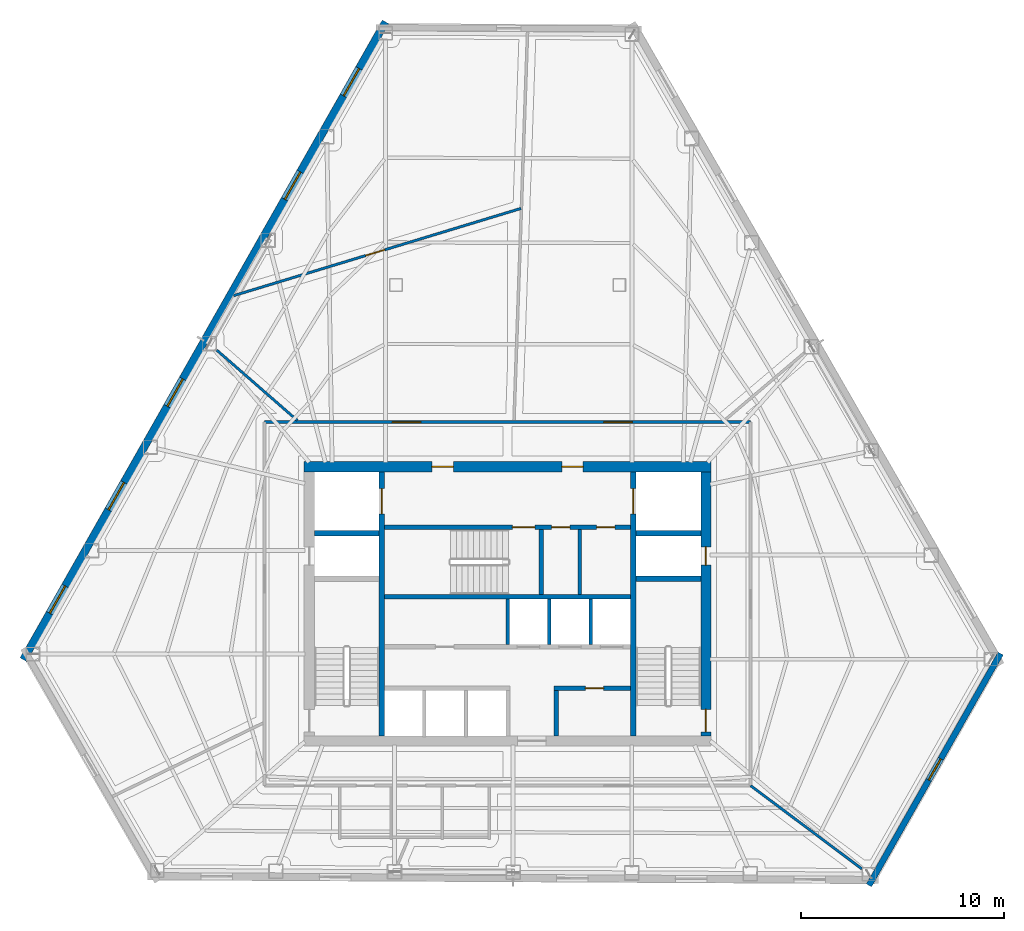
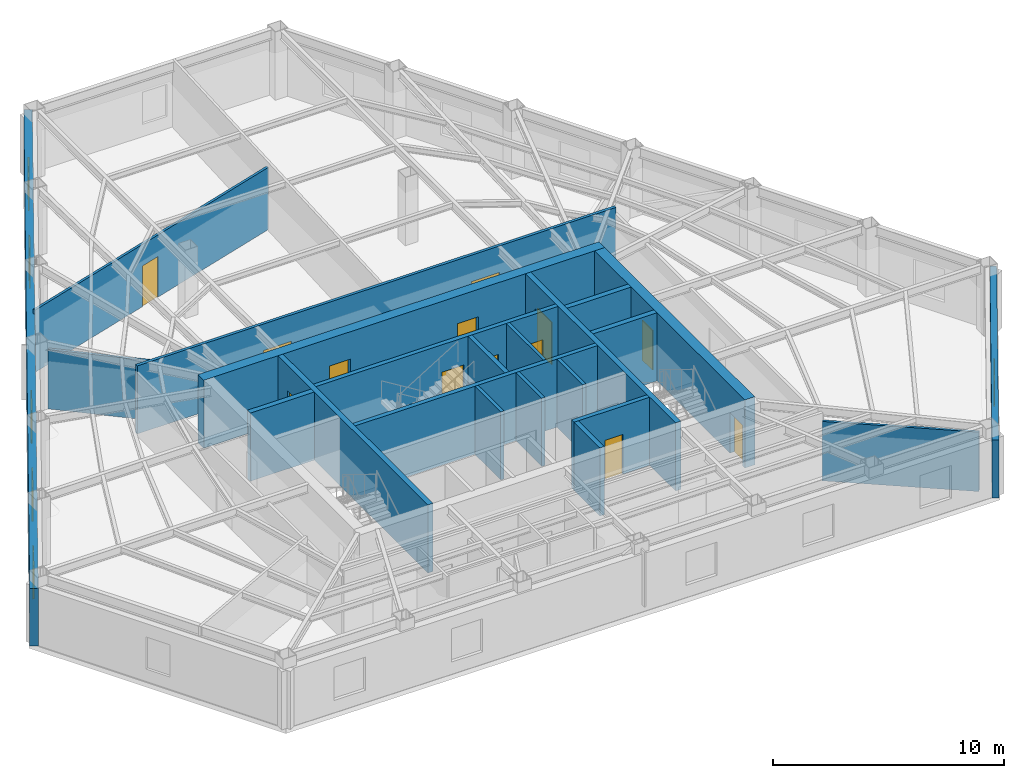
# One storey, part 8 of 12: 22 walls, 13 doors, 6 windows, 19 openings.
"""IFC4 building model written with IfcOpenShell, lengths in metres."""

from ifc_helpers import new_model, si_unit, direction, frame, frame_2d, origin, place, context, subcontext, project, spatial, rectangle, extrude, material, layer, layer_set, type_object, element, fill, save


model = new_model("IFC4")

# Units and contexts
model_context = context("Model", 3, precision=1e-05, world=origin(), true_north=direction((0.0, 1.0)))
body_context = subcontext(model_context, "Body", "Model", "MODEL_VIEW")
ifc_project = project(units=[si_unit("LENGTHUNIT", "METRE"), si_unit("AREAUNIT", "SQUARE_METRE"), si_unit("VOLUMEUNIT", "CUBIC_METRE"), si_unit("PLANEANGLEUNIT", "RADIAN"), si_unit("MASSUNIT", "GRAM", prefix="KILO")], contexts=[model_context])

# Site, building, storey
site_placement = place(None, origin())
site = spatial("IfcSite", under=ifc_project, at=site_placement, CompositionType="ELEMENT")
building_placement = place(site_placement, origin())
building = spatial("IfcBuilding", under=site, at=building_placement, Name="Kavelnor Concourse Tower", CompositionType="ELEMENT")
storey_placement = place(building_placement, frame((0.0, 0.0, 104.75)))
storey = spatial("IfcBuildingStorey", under=building, at=storey_placement, Name="L26", CompositionType="ELEMENT", Elevation=104.75)

# Wall, openings, doors
ifc_material_1 = material(Name="Concrete C60/75", Category="concrete")
ifc_layer_1 = layer(ifc_material_1, 0.5, Name="Concrete C60/75")
ifc_layer_set_1 = layer_set([ifc_layer_1], Name="Concrete C60/75")
wall_type_1 = type_object("IfcWallType", Name="WL-CORE-Z2-500", PredefinedType="SOLIDWALL", material=ifc_layer_set_1)
wall_1_placement = place(storey_placement, frame((27.97998046875, 22.85009765625, 0.0), z_axis=(0.0, 0.0, 1.0), x_axis=(1.0, 0.0, 0.0)))
wall_1 = element("IfcWall", 1, at=wall_1_placement, inside=storey, type_object=wall_type_1, Name="L26 Central Core North Shear Wall", PredefinedType="SOLIDWALL", context=body_context, shape_type="SweptSolid", body=[
    extrude(rectangle(XDim=20.0400390625, YDim=0.5, at=frame_2d((10.02001953125, 0.0))), origin(), (0.0, 0.0, 1.0), 3.60009765625),
])
opening_1_placement = place(wall_1_placement, frame((6.294921875, 0.0, 0.0)))
opening_1 = element("IfcOpeningElement", 2, at=opening_1_placement, cuts=wall_1, Name="Opening FD-105", PredefinedType="OPENING", context=body_context, shape_type="SweptSolid", body=[
    extrude(rectangle(XDim=1.050048828125, YDim=2.14990234375, at=frame_2d((0.52490234375, 1.074951171875))), frame((0.0, 0.260009765625, 0.0), z_axis=(0.0, -1.0, 0.0), x_axis=(1.0, 0.0, 0.0)), (0.0, 0.0, 1.0), 0.52001953125),
])
opening_2_placement = place(wall_1_placement, frame((12.695068359375, 0.0, 0.0)))
opening_2 = element("IfcOpeningElement", 3, at=opening_2_placement, cuts=wall_1, Name="Opening FD-105", PredefinedType="OPENING", context=body_context, shape_type="SweptSolid", body=[
    extrude(rectangle(XDim=1.050048828125, YDim=2.14990234375, at=frame_2d((0.52490234375, 1.074951171875))), frame((0.0, 0.260009765625, 0.0), z_axis=(0.0, -1.0, 0.0), x_axis=(1.0, 0.0, 0.0)), (0.0, 0.0, 1.0), 0.52001953125),
])
ifc_material_2 = material(Name="Steel Grade 350", Category="steel")
door_type_1 = type_object("IfcDoorType", Name="DR-LOBBY-FIRE-1050", OperationType="NOTDEFINED", PredefinedType="DOOR", material=ifc_material_2)
door_1_placement = place(opening_1_placement, origin())
door_1 = element("IfcDoor", 4, at=door_1_placement, inside=storey, type_object=door_type_1, Name="L26 Emergency Lift Lobby West Door", OperationType="SINGLE_SWING_LEFT", OverallHeight=2.14990234375, OverallWidth=1.050048828125, PredefinedType="DOOR", context=body_context, shape_type="SweptSolid", body=[
    extrude(rectangle(XDim=1.050048828125, YDim=2.14990234375, at=frame_2d((0.52490234375, 1.074951171875))), frame((0.0, 0.02490234375, 0.0), z_axis=(0.0, -1.0, 0.0), x_axis=(1.0, 0.0, 0.0)), (0.0, 0.0, 1.0), 0.050048828125),
])
fill(opening_1, door_1)
door_2_placement = place(opening_2_placement, origin())
door_2 = element("IfcDoor", 5, at=door_2_placement, inside=storey, type_object=door_type_1, Name="L26 Emergency Lift Lobby East Door", OperationType="SINGLE_SWING_RIGHT", OverallHeight=2.14990234375, OverallWidth=1.050048828125, PredefinedType="DOOR", context=body_context, shape_type="SweptSolid", body=[
    extrude(rectangle(XDim=1.050048828125, YDim=2.14990234375, at=frame_2d((0.52490234375, 1.074951171875))), frame((0.0, 0.02490234375, 0.0), z_axis=(0.0, -1.0, 0.0), x_axis=(1.0, 0.0, 0.0)), (0.0, 0.0, 1.0), 0.050048828125),
])
fill(opening_2, door_2)

wall_2_placement = place(storey_placement, frame((47.77001953125, 9.60009765625, 0.0), z_axis=(0.0, 0.0, 1.0), x_axis=(0.0, 1.0, 0.0)))
wall_2 = element("IfcWall", 6, at=wall_2_placement, inside=storey, type_object=wall_type_1, Name="L26 Central Core East Shear Wall", PredefinedType="SOLIDWALL", context=body_context, shape_type="SweptSolid", body=[
    extrude(rectangle(XDim=13.0, YDim=0.5, at=frame_2d((6.5, 0.0))), origin(), (0.0, 0.0, 1.0), 3.60009765625),
])
opening_3_placement = place(wall_2_placement, frame((0.199951171875, 0.0, 0.0)))
opening_3 = element("IfcOpeningElement", 7, at=opening_3_placement, cuts=wall_2, Name="Opening FD-110", PredefinedType="OPENING", context=body_context, shape_type="SweptSolid", body=[
    extrude(rectangle(XDim=1.10009765625, YDim=2.14990234375, at=frame_2d((0.550048828125, 1.074951171875))), frame((0.0, 0.260009765625, 0.0), z_axis=(0.0, -1.0, 0.0), x_axis=(1.0, 0.0, 0.0)), (0.0, 0.0, 1.0), 0.52001953125),
])
opening_4_placement = place(wall_2_placement, frame((8.39990234375, 0.0, 0.0)))
opening_4 = element("IfcOpeningElement", 8, at=opening_4_placement, cuts=wall_2, Name="Opening FD-090", PredefinedType="OPENING", context=body_context, shape_type="SweptSolid", body=[
    extrude(rectangle(XDim=0.89990234375, YDim=2.10009765625, at=frame_2d((0.449951171875, 1.050048828125))), frame((0.0, 0.260009765625, 0.0), z_axis=(0.0, -1.0, 0.0), x_axis=(1.0, 0.0, 0.0)), (0.0, 0.0, 1.0), 0.52001953125),
])
door_type_2 = type_object("IfcDoorType", Name="DR-RISER-FIRE-900", OperationType="NOTDEFINED", PredefinedType="DOOR", material=ifc_material_2)
door_3_placement = place(opening_4_placement, origin())
door_3 = element("IfcDoor", 9, at=door_3_placement, inside=storey, type_object=door_type_2, Name="L26 East Riser Access Door", OperationType="SINGLE_SWING_LEFT", OverallHeight=2.10009765625, OverallWidth=0.89990234375, PredefinedType="DOOR", context=body_context, shape_type="SweptSolid", body=[
    extrude(rectangle(XDim=0.89990234375, YDim=2.10009765625, at=frame_2d((0.449951171875, 1.050048828125))), frame((0.0, 0.02490234375, 0.0), z_axis=(0.0, -1.0, 0.0), x_axis=(1.0, 0.0, 0.0)), (0.0, 0.0, 1.0), 0.050048828125),
])
fill(opening_4, door_3)
door_type_3 = type_object("IfcDoorType", Name="DR-STAIR-FIRE-1100", OperationType="NOTDEFINED", PredefinedType="DOOR", material=ifc_material_2)
door_4_placement = place(opening_3_placement, origin())
door_4 = element("IfcDoor", 10, at=door_4_placement, inside=storey, type_object=door_type_3, Name="L26 Stair ST2 Fire Door", OperationType="SINGLE_SWING_RIGHT", OverallHeight=2.14990234375, OverallWidth=1.10009765625, PredefinedType="DOOR", context=body_context, shape_type="SweptSolid", body=[
    extrude(rectangle(XDim=1.10009765625, YDim=2.14990234375, at=frame_2d((0.550048828125, 1.074951171875))), frame((0.0, 0.02490234375, 0.0), z_axis=(0.0, -1.0, 0.0), x_axis=(1.0, 0.0, 0.0)), (0.0, 0.0, 1.0), 0.050048828125),
])
fill(opening_3, door_4)

# Wall, opening, window
ifc_material_3 = material(Name="Buff ironspot clay face brick masonry", Category="masonry")
ifc_layer_2 = layer(ifc_material_3, 0.300048828125, Name="Buff ironspot clay face brick masonry")
ifc_layer_set_2 = layer_set([ifc_layer_2], Name="Buff ironspot clay face brick masonry")
wall_type_2 = type_object("IfcWallType", Name="WL-EXT-BUFF-BRICK-FOLD-300", PredefinedType="STANDARD", material=ifc_layer_set_2)
wall_3_placement = place(storey_placement, frame((62.27978515625, 13.65185546875, 0.0), z_axis=(0.0, 0.0, 1.0), x_axis=(-0.493862788891, -0.869539847131, 0.0)))
wall_3 = element("IfcWall", 11, at=wall_3_placement, inside=storey, type_object=wall_type_2, Name="L26 Exterior Brick Facade Wall E4", PredefinedType="STANDARD", context=body_context, shape_type="SweptSolid", body=[
    extrude(rectangle(XDim=13.1318359375, YDim=0.300048828125, at=frame_2d((6.56591796875, 0.0))), origin(), (0.0, 0.0, 1.0), 3.05908203125),
])
opening_5_placement = place(wall_3_placement, frame((5.9658203125, 0.0, 0.64990234375)))
opening_5 = element("IfcOpeningElement", 12, at=opening_5_placement, cuts=wall_3, Name="Opening W-05", PredefinedType="OPENING", context=body_context, shape_type="SweptSolid", body=[
    extrude(rectangle(XDim=1.199951171875, YDim=1.699951171875, at=frame_2d((0.60009765625, 0.85009765625))), frame((0.0, 0.16015625, 0.0), z_axis=(0.0, -1.0, 0.0), x_axis=(1.0, 0.0, 0.0)), (0.0, 0.0, 1.0), 0.320068359375),
])
ifc_material_4 = material(Name="Double low-E argon insulated glazing", Category="glass")
window_type_1 = type_object("IfcWindowType", Name="WIN-FOLD-1200", PartitioningType="SINGLE_PANEL", PredefinedType="WINDOW", material=ifc_material_4)
window_1_placement = place(opening_5_placement, origin())
window_1 = element("IfcWindow", 13, at=window_1_placement, inside=storey, type_object=window_type_1, Name="L26 Chamfer-Fold Facet Window C2", OverallHeight=1.699951171875, OverallWidth=1.199951171875, PartitioningType="SINGLE_PANEL", PredefinedType="WINDOW", context=body_context, shape_type="SweptSolid", body=[
    extrude(rectangle(XDim=1.199951171875, YDim=1.699951171875, at=frame_2d((0.60009765625, 0.85009765625))), frame((0.0, 0.030029296875, 0.0), z_axis=(0.0, -1.0, 0.0), x_axis=(1.0, 0.0, 0.0)), (0.0, 0.0, 1.0), 0.06005859375),
])
fill(opening_5, window_1)

# Wall, openings, windows
ifc_material_5 = material(Name="Red-ochre clay face brick masonry", Category="masonry")
ifc_layer_3 = layer(ifc_material_5, 0.3798828125, Name="Red-ochre clay face brick masonry")
ifc_layer_set_3 = layer_set([ifc_layer_3], Name="Red-ochre clay face brick masonry")
wall_type_3 = type_object("IfcWallType", Name="WL-EXT-RED-BRICK-PIER-380", PredefinedType="STANDARD", material=ifc_layer_set_3)
wall_4_placement = place(storey_placement, frame((14.154541015625, 13.347412109375, 0.0), z_axis=(0.0, 0.0, 1.0), x_axis=(0.493868426836, 0.869536644986, 0.0)))
wall_4 = element("IfcWall", 14, at=wall_4_placement, inside=storey, type_object=wall_type_3, Name="L26 Exterior Brick Facade Wall E1", PredefinedType="STANDARD", context=body_context, shape_type="SweptSolid", body=[
    extrude(rectangle(XDim=36.12109375, YDim=0.3798828125, at=frame_2d((18.060546875, 0.0))), origin(), (0.0, 0.0, 1.0), 3.05908203125),
])
opening_6_placement = place(wall_4_placement, frame((31.9345703125, 0.0, 0.64990234375)))
opening_6 = element("IfcOpeningElement", 15, at=opening_6_placement, cuts=wall_4, Name="Opening W-02", PredefinedType="OPENING", context=body_context, shape_type="SweptSolid", body=[
    extrude(rectangle(XDim=1.550048828125, YDim=1.75, at=frame_2d((0.77490234375, 0.875))), frame((0.0, 0.199951171875, 0.0), z_axis=(0.0, -1.0, 0.0), x_axis=(1.0, 0.0, 0.0)), (0.0, 0.0, 1.0), 0.39990234375),
])
opening_7_placement = place(wall_4_placement, frame((26.073486328125, 0.0, 0.64990234375)))
opening_7 = element("IfcOpeningElement", 16, at=opening_7_placement, cuts=wall_4, Name="Opening W-02", PredefinedType="OPENING", context=body_context, shape_type="SweptSolid", body=[
    extrude(rectangle(XDim=1.550048828125, YDim=1.75, at=frame_2d((0.77490234375, 0.875))), frame((0.0, 0.199951171875, 0.0), z_axis=(0.0, -1.0, 0.0), x_axis=(1.0, 0.0, 0.0)), (0.0, 0.0, 1.0), 0.39990234375),
])
opening_8_placement = place(wall_4_placement, frame((14.351806640625, 0.0, 0.64990234375)))
opening_8 = element("IfcOpeningElement", 17, at=opening_8_placement, cuts=wall_4, Name="Opening W-02", PredefinedType="OPENING", context=body_context, shape_type="SweptSolid", body=[
    extrude(rectangle(XDim=1.550048828125, YDim=1.75, at=frame_2d((0.77490234375, 0.875))), frame((0.0, 0.199951171875, 0.0), z_axis=(0.0, -1.0, 0.0), x_axis=(1.0, 0.0, 0.0)), (0.0, 0.0, 1.0), 0.39990234375),
])
opening_9_placement = place(wall_4_placement, frame((8.49072265625, 0.0, 0.64990234375)))
opening_9 = element("IfcOpeningElement", 18, at=opening_9_placement, cuts=wall_4, Name="Opening W-02", PredefinedType="OPENING", context=body_context, shape_type="SweptSolid", body=[
    extrude(rectangle(XDim=1.550048828125, YDim=1.75, at=frame_2d((0.77490234375, 0.875))), frame((0.0, 0.199951171875, 0.0), z_axis=(0.0, -1.0, 0.0), x_axis=(1.0, 0.0, 0.0)), (0.0, 0.0, 1.0), 0.39990234375),
])
opening_10_placement = place(wall_4_placement, frame((2.629638671875, 0.0, 0.64990234375)))
opening_10 = element("IfcOpeningElement", 19, at=opening_10_placement, cuts=wall_4, Name="Opening W-02", PredefinedType="OPENING", context=body_context, shape_type="SweptSolid", body=[
    extrude(rectangle(XDim=1.550048828125, YDim=1.75, at=frame_2d((0.77490234375, 0.875))), frame((0.0, 0.199951171875, 0.0), z_axis=(0.0, -1.0, 0.0), x_axis=(1.0, 0.0, 0.0)), (0.0, 0.0, 1.0), 0.39990234375),
])
window_type_2 = type_object("IfcWindowType", Name="WIN-PIER-Z2-1650", PartitioningType="SINGLE_PANEL", PredefinedType="WINDOW", material=ifc_material_4)
window_2_placement = place(opening_6_placement, origin())
window_2 = element("IfcWindow", 20, at=window_2_placement, inside=storey, type_object=window_type_2, Name="L26 Deep-Set Brick Pier Window F0-B0", OverallHeight=1.75, OverallWidth=1.550048828125, PartitioningType="SINGLE_PANEL", PredefinedType="WINDOW", context=body_context, shape_type="SweptSolid", body=[
    extrude(rectangle(XDim=1.550048828125, YDim=1.75, at=frame_2d((0.77490234375, 0.875))), frame((0.0, 0.030029296875, 0.0), z_axis=(0.0, -1.0, 0.0), x_axis=(1.0, 0.0, 0.0)), (0.0, 0.0, 1.0), 0.06005859375),
])
fill(opening_6, window_2)
window_3_placement = place(opening_7_placement, origin())
window_3 = element("IfcWindow", 21, at=window_3_placement, inside=storey, type_object=window_type_2, Name="L26 Deep-Set Brick Pier Window F0-B1", OverallHeight=1.75, OverallWidth=1.550048828125, PartitioningType="SINGLE_PANEL", PredefinedType="WINDOW", context=body_context, shape_type="SweptSolid", body=[
    extrude(rectangle(XDim=1.550048828125, YDim=1.75, at=frame_2d((0.77490234375, 0.875))), frame((0.0, 0.030029296875, 0.0), z_axis=(0.0, -1.0, 0.0), x_axis=(1.0, 0.0, 0.0)), (0.0, 0.0, 1.0), 0.06005859375),
])
fill(opening_7, window_3)
window_4_placement = place(opening_8_placement, origin())
window_4 = element("IfcWindow", 22, at=window_4_placement, inside=storey, type_object=window_type_2, Name="L26 Deep-Set Brick Pier Window F0-B3", OverallHeight=1.75, OverallWidth=1.550048828125, PartitioningType="SINGLE_PANEL", PredefinedType="WINDOW", context=body_context, shape_type="SweptSolid", body=[
    extrude(rectangle(XDim=1.550048828125, YDim=1.75, at=frame_2d((0.77490234375, 0.875))), frame((0.0, 0.030029296875, 0.0), z_axis=(0.0, -1.0, 0.0), x_axis=(1.0, 0.0, 0.0)), (0.0, 0.0, 1.0), 0.06005859375),
])
fill(opening_8, window_4)
window_5_placement = place(opening_9_placement, origin())
window_5 = element("IfcWindow", 23, at=window_5_placement, inside=storey, type_object=window_type_2, Name="L26 Deep-Set Brick Pier Window F0-B4", OverallHeight=1.75, OverallWidth=1.550048828125, PartitioningType="SINGLE_PANEL", PredefinedType="WINDOW", context=body_context, shape_type="SweptSolid", body=[
    extrude(rectangle(XDim=1.550048828125, YDim=1.75, at=frame_2d((0.77490234375, 0.875))), frame((0.0, 0.030029296875, 0.0), z_axis=(0.0, -1.0, 0.0), x_axis=(1.0, 0.0, 0.0)), (0.0, 0.0, 1.0), 0.06005859375),
])
fill(opening_9, window_5)
window_6_placement = place(opening_10_placement, origin())
window_6 = element("IfcWindow", 24, at=window_6_placement, inside=storey, type_object=window_type_2, Name="L26 Deep-Set Brick Pier Window F0-B5", OverallHeight=1.75, OverallWidth=1.550048828125, PartitioningType="SINGLE_PANEL", PredefinedType="WINDOW", context=body_context, shape_type="SweptSolid", body=[
    extrude(rectangle(XDim=1.550048828125, YDim=1.75, at=frame_2d((0.77490234375, 0.875))), frame((0.0, 0.030029296875, 0.0), z_axis=(0.0, -1.0, 0.0), x_axis=(1.0, 0.0, 0.0)), (0.0, 0.0, 1.0), 0.06005859375),
])
fill(opening_10, window_6)

# Wall, openings, doors
ifc_material_6 = material(Name="Gypsum plasterboard on light-gauge steel studs", Category="steel")
ifc_layer_4 = layer(ifc_material_6, 0.14501953125, Name="Gypsum plasterboard on light-gauge steel studs")
ifc_layer_set_4 = layer_set([ifc_layer_4], Name="Gypsum plasterboard on light-gauge steel studs")
wall_type_4 = type_object("IfcWallType", Name="WL-INT-CORR-145", PredefinedType="PARTITIONING", material=ifc_layer_set_4)
wall_5_placement = place(storey_placement, frame((49.969970703125, 25.050048828125, 0.0), z_axis=(0.0, 0.0, 1.0), x_axis=(-1.0, 0.0, 0.0)))
wall_5 = element("IfcWall", 25, at=wall_5_placement, inside=storey, type_object=wall_type_4, Name="L26 Corridor Wall WL-L26-CR-02", PredefinedType="PARTITIONING", context=body_context, shape_type="SweptSolid", body=[
    extrude(rectangle(XDim=23.93994140625, YDim=0.14501953125, at=frame_2d((11.969970703125, 0.0))), origin(), (0.0, 0.0, 1.0), 3.60009765625),
])
opening_11_placement = place(wall_5_placement, frame((5.824462890625, 0.0, 0.0)))
opening_11 = element("IfcOpeningElement", 26, at=opening_11_placement, cuts=wall_5, Name="Opening SD-140", PredefinedType="OPENING", context=body_context, shape_type="SweptSolid", body=[
    extrude(rectangle(XDim=1.39990234375, YDim=2.199951171875, at=frame_2d((0.699951171875, 1.10009765625))), frame((0.0, 0.08251953125, 0.0), z_axis=(0.0, -1.0, 0.0), x_axis=(1.0, 0.0, 0.0)), (0.0, 0.0, 1.0), 0.1650390625),
])
opening_12_placement = place(wall_5_placement, frame((16.23828125, 0.0, 0.0)))
opening_12 = element("IfcOpeningElement", 27, at=opening_12_placement, cuts=wall_5, Name="Opening SD-140", PredefinedType="OPENING", context=body_context, shape_type="SweptSolid", body=[
    extrude(rectangle(XDim=1.39990234375, YDim=2.199951171875, at=frame_2d((0.699951171875, 1.10009765625))), frame((0.0, 0.08251953125, 0.0), z_axis=(0.0, -1.0, 0.0), x_axis=(1.0, 0.0, 0.0)), (0.0, 0.0, 1.0), 0.1650390625),
])
ifc_material_7 = material(Name="Solid-core hardwood timber", Category="wood")
door_type_4 = type_object("IfcDoorType", Name="DR-SUITE-ENTRY-1400", OperationType="NOTDEFINED", PredefinedType="DOOR", material=ifc_material_7)
door_5_placement = place(opening_11_placement, origin())
door_5 = element("IfcDoor", 28, at=door_5_placement, inside=storey, type_object=door_type_4, Name="L26 Architectural Design Studio 01 Door", OperationType="SINGLE_SWING_RIGHT", OverallHeight=2.199951171875, OverallWidth=1.39990234375, PredefinedType="DOOR", context=body_context, shape_type="SweptSolid", body=[
    extrude(rectangle(XDim=1.39990234375, YDim=2.199951171875, at=frame_2d((0.699951171875, 1.10009765625))), frame((0.0, 0.02490234375, 0.0), z_axis=(0.0, -1.0, 0.0), x_axis=(1.0, 0.0, 0.0)), (0.0, 0.0, 1.0), 0.050048828125),
])
fill(opening_11, door_5)
door_6_placement = place(opening_12_placement, origin())
door_6 = element("IfcDoor", 29, at=door_6_placement, inside=storey, type_object=door_type_4, Name="L26 Client Concierge 02 Door", OperationType="SINGLE_SWING_LEFT", OverallHeight=2.199951171875, OverallWidth=1.39990234375, PredefinedType="DOOR", context=body_context, shape_type="SweptSolid", body=[
    extrude(rectangle(XDim=1.39990234375, YDim=2.199951171875, at=frame_2d((0.699951171875, 1.10009765625))), frame((0.0, 0.02490234375, 0.0), z_axis=(0.0, -1.0, 0.0), x_axis=(1.0, 0.0, 0.0)), (0.0, 0.0, 1.0), 0.050048828125),
])
fill(opening_12, door_6)

# Walls
ifc_layer_5 = layer(ifc_material_6, 0.1650390625, Name="Gypsum plasterboard on light-gauge steel studs")
ifc_layer_set_5 = layer_set([ifc_layer_5], Name="Gypsum plasterboard on light-gauge steel studs")
wall_type_5 = type_object("IfcWallType", Name="WL-INT-FIRE-165", PredefinedType="PARTITIONING", material=ifc_layer_set_5)
for number, where, z_axis, x_axis, name in (
    (30, (38.0, 14.10009765625, 0.0), (0.0, 0.0, 1.0), (0.0, 1.0, 0.0), "L26 Reclaimed Core Zone Partition"),
    (31, (40.050048828125, 14.10009765625, 0.0), (0.0, 0.0, 1.0), (0.0, 1.0, 0.0), "L26 Lift Shaft Divider LP4"),
    (32, (42.10009765625, 14.10009765625, 0.0), (0.0, 0.0, 1.0), (0.0, 1.0, 0.0), "L26 Lift Shaft Divider LP5"),
):
    element("IfcWall", number, at=place(storey_placement, frame(where, z_axis=z_axis, x_axis=x_axis)), inside=storey, type_object=wall_type_5, Name=name, PredefinedType="PARTITIONING", context=body_context, shape_type="SweptSolid", body=[
        extrude(rectangle(XDim=2.239990234375, YDim=0.1650390625, at=frame_2d((1.1201171875, 0.0))), origin(), (0.0, 0.0, 1.0), 3.60009765625),
    ])
wall_6_placement = place(storey_placement, frame((41.550048828125, 16.56005859375, 0.0), z_axis=(0.0, 0.0, 1.0), x_axis=(0.0, 1.0, 0.0)))
element("IfcWall", 33, at=wall_6_placement, inside=storey, type_object=wall_type_5, Name="L26 Core North Support Divider", PredefinedType="PARTITIONING", context=body_context, shape_type="SweptSolid", body=[
    extrude(rectangle(XDim=3.199951171875, YDim=0.1650390625, at=frame_2d((1.60009765625, 0.0))), origin(), (0.0, 0.0, 1.0), 3.60009765625),
])
ifc_layer_6 = layer(ifc_material_6, 0.125, Name="Gypsum plasterboard on light-gauge steel studs")
ifc_layer_set_6 = layer_set([ifc_layer_6], Name="Gypsum plasterboard on light-gauge steel studs")
wall_type_6 = type_object("IfcWallType", Name="WL-INT-SUITE-125", PredefinedType="PARTITIONING", material=ifc_layer_set_6)
wall_7_placement = place(storey_placement, frame((27.646484375, 25.130615234375, 0.0), z_axis=(0.0, 0.0, 1.0), x_axis=(-0.753603237889, 0.657329567145, 0.0)))
element("IfcWall", 34, at=wall_7_placement, inside=storey, type_object=wall_type_6, Name="L26 Radial Suite Partition 03", PredefinedType="PARTITIONING", context=body_context, shape_type="SweptSolid", body=[
    extrude(rectangle(XDim=5.26953125, YDim=0.125, at=frame_2d((2.634765625, 0.0))), origin(), (0.0, 0.0, 1.0), 3.14111328125),
])
wall_8_placement = place(storey_placement, frame((49.969970703125, 7.14453125, 0.0), z_axis=(0.0, 0.0, 1.0), x_axis=(0.800705856265, -0.599057703183, 0.0)))
element("IfcWall", 35, at=wall_8_placement, inside=storey, type_object=wall_type_6, Name="L26 Radial Suite Partition 06", PredefinedType="PARTITIONING", context=body_context, shape_type="SweptSolid", body=[
    extrude(rectangle(XDim=6.843017578125, YDim=0.125, at=frame_2d((3.42138671875, 0.0))), origin(), (0.0, 0.0, 1.0), 3.14111328125),
])

# Wall, opening, door
wall_9_placement = place(storey_placement, frame((38.6650390625, 35.57177734375, 0.0), z_axis=(0.0, 0.0, 1.0), x_axis=(-0.956891470712, -0.290445714856, 0.0)))
wall_9 = element("IfcWall", 36, at=wall_9_placement, inside=storey, type_object=wall_type_6, Name="L26 Suite Subdivision Partition 02", PredefinedType="PARTITIONING", context=body_context, shape_type="SweptSolid", body=[
    extrude(rectangle(XDim=14.793212890625, YDim=0.125, at=frame_2d((7.396484375, 0.0))), origin(), (0.0, 0.0, 1.0), 3.2880859375),
])
opening_13_placement = place(wall_9_placement, frame((7.016357421875, 0.0, 0.0)))
opening_13 = element("IfcOpeningElement", 37, at=opening_13_placement, cuts=wall_9, Name="Opening OD-098", PredefinedType="OPENING", context=body_context, shape_type="SweptSolid", body=[
    extrude(rectangle(XDim=0.97998046875, YDim=2.14990234375, at=frame_2d((0.489990234375, 1.074951171875))), frame((0.0, 0.072509765625, 0.0), z_axis=(0.0, -1.0, 0.0), x_axis=(1.0, 0.0, 0.0)), (0.0, 0.0, 1.0), 0.14501953125),
])
door_type_5 = type_object("IfcDoorType", Name="DR-OFFICE-980", OperationType="NOTDEFINED", PredefinedType="DOOR", material=ifc_material_7)
door_7_placement = place(opening_13_placement, origin())
door_7 = element("IfcDoor", 38, at=door_7_placement, inside=storey, type_object=door_type_5, Name="L26 Workplace Open Office 03 Door", OperationType="SINGLE_SWING_RIGHT", OverallHeight=2.14990234375, OverallWidth=0.97998046875, PredefinedType="DOOR", context=body_context, shape_type="SweptSolid", body=[
    extrude(rectangle(XDim=0.97998046875, YDim=2.14990234375, at=frame_2d((0.489990234375, 1.074951171875))), frame((0.0, 0.02490234375, 0.0), z_axis=(0.0, -1.0, 0.0), x_axis=(1.0, 0.0, 0.0)), (0.0, 0.0, 1.0), 0.050048828125),
])
fill(opening_13, door_7)

# Wall, openings, doors
ifc_material_8 = material(Name="Concrete C50/60", Category="concrete")
ifc_layer_7 = layer(ifc_material_8, 0.219970703125, Name="Concrete C50/60")
ifc_layer_set_7 = layer_set([ifc_layer_7], Name="Concrete C50/60")
wall_type_7 = type_object("IfcWallType", Name="WL-SHAFT-220", PredefinedType="SOLIDWALL", material=ifc_layer_set_7)
wall_10_placement = place(storey_placement, frame((31.93994140625, 19.8701171875, 0.0), z_axis=(0.0, 0.0, 1.0), x_axis=(1.0, 0.0, 0.0)))
wall_10 = element("IfcWall", 39, at=wall_10_placement, inside=storey, type_object=wall_type_7, Name="L26 Emergency Lift Lobby South Wall", PredefinedType="SOLIDWALL", context=body_context, shape_type="SweptSolid", body=[
    extrude(rectangle(XDim=12.1201171875, YDim=0.219970703125, at=frame_2d((6.06005859375, 0.0))), origin(), (0.0, 0.0, 1.0), 3.60009765625),
])
opening_14_placement = place(wall_10_placement, frame((6.300048828125, 0.0, 0.0)))
opening_14 = element("IfcOpeningElement", 40, at=opening_14_placement, cuts=wall_10, Name="Opening FD-110", PredefinedType="OPENING", context=body_context, shape_type="SweptSolid", body=[
    extrude(rectangle(XDim=1.10009765625, YDim=2.14990234375, at=frame_2d((0.550048828125, 1.074951171875))), frame((0.0, 0.1201171875, 0.0), z_axis=(0.0, -1.0, 0.0), x_axis=(1.0, 0.0, 0.0)), (0.0, 0.0, 1.0), 0.239990234375),
])
opening_15_placement = place(wall_10_placement, frame((8.22998046875, 0.0, 0.0)))
opening_15 = element("IfcOpeningElement", 41, at=opening_15_placement, cuts=wall_10, Name="Opening FD-090", PredefinedType="OPENING", context=body_context, shape_type="SweptSolid", body=[
    extrude(rectangle(XDim=0.89990234375, YDim=2.10009765625, at=frame_2d((0.449951171875, 1.050048828125))), frame((0.0, 0.1201171875, 0.0), z_axis=(0.0, -1.0, 0.0), x_axis=(1.0, 0.0, 0.0)), (0.0, 0.0, 1.0), 0.239990234375),
])
opening_16_placement = place(wall_10_placement, frame((10.449951171875, 0.0, 0.0)))
opening_16 = element("IfcOpeningElement", 42, at=opening_16_placement, cuts=wall_10, Name="Opening FD-090", PredefinedType="OPENING", context=body_context, shape_type="SweptSolid", body=[
    extrude(rectangle(XDim=0.89990234375, YDim=2.10009765625, at=frame_2d((0.449951171875, 1.050048828125))), frame((0.0, 0.1201171875, 0.0), z_axis=(0.0, -1.0, 0.0), x_axis=(1.0, 0.0, 0.0)), (0.0, 0.0, 1.0), 0.239990234375),
])
door_8_placement = place(opening_15_placement, origin())
door_8 = element("IfcDoor", 43, at=door_8_placement, inside=storey, type_object=door_type_2, Name="L26 Telecom Room Door", OperationType="SINGLE_SWING_LEFT", OverallHeight=2.10009765625, OverallWidth=0.89990234375, PredefinedType="DOOR", context=body_context, shape_type="SweptSolid", body=[
    extrude(rectangle(XDim=0.89990234375, YDim=2.10009765625, at=frame_2d((0.449951171875, 1.050048828125))), frame((0.0, 0.02490234375, 0.0), z_axis=(0.0, -1.0, 0.0), x_axis=(1.0, 0.0, 0.0)), (0.0, 0.0, 1.0), 0.050048828125),
])
fill(opening_15, door_8)
door_9_placement = place(opening_16_placement, origin())
door_9 = element("IfcDoor", 44, at=door_9_placement, inside=storey, type_object=door_type_2, Name="L26 Janitor Store Door", OperationType="SINGLE_SWING_RIGHT", OverallHeight=2.10009765625, OverallWidth=0.89990234375, PredefinedType="DOOR", context=body_context, shape_type="SweptSolid", body=[
    extrude(rectangle(XDim=0.89990234375, YDim=2.10009765625, at=frame_2d((0.449951171875, 1.050048828125))), frame((0.0, 0.02490234375, 0.0), z_axis=(0.0, -1.0, 0.0), x_axis=(1.0, 0.0, 0.0)), (0.0, 0.0, 1.0), 0.050048828125),
])
fill(opening_16, door_9)
door_10_placement = place(opening_14_placement, origin())
door_10 = element("IfcDoor", 45, at=door_10_placement, inside=storey, type_object=door_type_3, Name="L26 Stair ST3 Fire Door", OperationType="SINGLE_SWING_LEFT", OverallHeight=2.14990234375, OverallWidth=1.10009765625, PredefinedType="DOOR", context=body_context, shape_type="SweptSolid", body=[
    extrude(rectangle(XDim=1.10009765625, YDim=2.14990234375, at=frame_2d((0.550048828125, 1.074951171875))), frame((0.0, 0.02490234375, 0.0), z_axis=(0.0, -1.0, 0.0), x_axis=(1.0, 0.0, 0.0)), (0.0, 0.0, 1.0), 0.050048828125),
])
fill(opening_14, door_10)

# Walls
wall_11_placement = place(storey_placement, frame((31.93994140625, 16.449951171875, 0.0), z_axis=(0.0, 0.0, 1.0), x_axis=(1.0, 0.0, 0.0)))
element("IfcWall", 46, at=wall_11_placement, inside=storey, type_object=wall_type_7, Name="L26 Stair ST3 South Core Wall", PredefinedType="SOLIDWALL", context=body_context, shape_type="SweptSolid", body=[
    extrude(rectangle(XDim=12.1201171875, YDim=0.219970703125, at=frame_2d((6.06005859375, 0.0))), origin(), (0.0, 0.0, 1.0), 3.60009765625),
])
wall_12_placement = place(storey_placement, frame((39.64990234375, 16.56005859375, 0.0), z_axis=(0.0, 0.0, 1.0), x_axis=(0.0, 1.0, 0.0)))
element("IfcWall", 47, at=wall_12_placement, inside=storey, type_object=wall_type_7, Name="L26 Stair ST3 East Core Wall", PredefinedType="SOLIDWALL", context=body_context, shape_type="SweptSolid", body=[
    extrude(rectangle(XDim=3.199951171875, YDim=0.219970703125, at=frame_2d((1.60009765625, 0.0))), origin(), (0.0, 0.0, 1.0), 3.60009765625),
])

# Wall, opening, door
wall_13_placement = place(storey_placement, frame((40.280029296875, 11.949951171875, 0.0), z_axis=(0.0, 0.0, 1.0), x_axis=(1.0, 0.0, 0.0)))
wall_13 = element("IfcWall", 48, at=wall_13_placement, inside=storey, type_object=wall_type_7, Name="L26 Core South Support North Wall", PredefinedType="SOLIDWALL", context=body_context, shape_type="SweptSolid", body=[
    extrude(rectangle(XDim=3.780029296875, YDim=0.219970703125, at=frame_2d((1.89013671875, 0.0))), origin(), (0.0, 0.0, 1.0), 3.60009765625),
])
opening_17_placement = place(wall_13_placement, frame((1.550048828125, 0.0, 0.0)))
opening_17 = element("IfcOpeningElement", 49, at=opening_17_placement, cuts=wall_13, Name="Opening FD-090", PredefinedType="OPENING", context=body_context, shape_type="SweptSolid", body=[
    extrude(rectangle(XDim=0.89990234375, YDim=2.10009765625, at=frame_2d((0.449951171875, 1.050048828125))), frame((0.0, 0.1201171875, 0.0), z_axis=(0.0, -1.0, 0.0), x_axis=(1.0, 0.0, 0.0)), (0.0, 0.0, 1.0), 0.239990234375),
])
door_11_placement = place(opening_17_placement, origin())
door_11 = element("IfcDoor", 50, at=door_11_placement, inside=storey, type_object=door_type_2, Name="L26 BMS Metering Door", OperationType="SINGLE_SWING_RIGHT", OverallHeight=2.10009765625, OverallWidth=0.89990234375, PredefinedType="DOOR", context=body_context, shape_type="SweptSolid", body=[
    extrude(rectangle(XDim=0.89990234375, YDim=2.10009765625, at=frame_2d((0.449951171875, 1.050048828125))), frame((0.0, 0.02490234375, 0.0), z_axis=(0.0, -1.0, 0.0), x_axis=(1.0, 0.0, 0.0)), (0.0, 0.0, 1.0), 0.050048828125),
])
fill(opening_17, door_11)

# Wall
wall_14_placement = place(storey_placement, frame((40.389892578125, 9.60009765625, 0.0), z_axis=(0.0, 0.0, 1.0), x_axis=(0.0, 1.0, 0.0)))
element("IfcWall", 51, at=wall_14_placement, inside=storey, type_object=wall_type_7, Name="L26 Lift Lobby Throat East Wall", PredefinedType="SOLIDWALL", context=body_context, shape_type="SweptSolid", body=[
    extrude(rectangle(XDim=2.239990234375, YDim=0.219970703125, at=frame_2d((1.1201171875, 0.0))), origin(), (0.0, 0.0, 1.0), 3.60009765625),
])

# Wall, opening, door
ifc_layer_8 = layer(ifc_material_8, 0.260009765625, Name="Concrete C50/60")
ifc_layer_set_8 = layer_set([ifc_layer_8], Name="Concrete C50/60")
wall_type_8 = type_object("IfcWallType", Name="WL-SHAFT-260", PredefinedType="SHEAR", material=ifc_layer_set_8)
wall_15_placement = place(storey_placement, frame((31.81005859375, 9.60009765625, 0.0), z_axis=(0.0, 0.0, 1.0), x_axis=(0.0, 1.0, 0.0)))
wall_15 = element("IfcWall", 52, at=wall_15_placement, inside=storey, type_object=wall_type_8, Name="L26 Core West Wing Shear Wall", PredefinedType="SHEAR", context=body_context, shape_type="SweptSolid", body=[
    extrude(rectangle(XDim=13.0, YDim=0.260009765625, at=frame_2d((6.5, 0.0))), origin(), (0.0, 0.0, 1.0), 3.60009765625),
])
opening_18_placement = place(wall_15_placement, frame((10.925048828125, 0.0, 0.0)))
opening_18 = element("IfcOpeningElement", 53, at=opening_18_placement, cuts=wall_15, Name="Opening LD-125", PredefinedType="OPENING", context=body_context, shape_type="SweptSolid", body=[
    extrude(rectangle(XDim=1.25, YDim=2.25, at=frame_2d((0.625, 1.125))), frame((0.0, 0.14013671875, 0.0), z_axis=(0.0, -1.0, 0.0), x_axis=(1.0, 0.0, 0.0)), (0.0, 0.0, 1.0), 0.280029296875),
])
door_type_6 = type_object("IfcDoorType", Name="DR-LIFT-SLIDING-1250", OperationType="NOTDEFINED", PredefinedType="DOOR", material=ifc_material_2)
door_12_placement = place(opening_18_placement, origin())
door_12 = element("IfcDoor", 54, at=door_12_placement, inside=storey, type_object=door_type_6, Name="L26 Emergency Lift FL1 Landing Door", OperationType="DOUBLE_DOOR_SLIDING", OverallHeight=2.25, OverallWidth=1.25, PredefinedType="DOOR", context=body_context, shape_type="SweptSolid", body=[
    extrude(rectangle(XDim=1.25, YDim=2.25, at=frame_2d((0.625, 1.125))), frame((0.0, 0.02490234375, 0.0), z_axis=(0.0, -1.0, 0.0), x_axis=(1.0, 0.0, 0.0)), (0.0, 0.0, 1.0), 0.050048828125),
])
fill(opening_18, door_12)

wall_16_placement = place(storey_placement, frame((44.18994140625, 9.60009765625, 0.0), z_axis=(0.0, 0.0, 1.0), x_axis=(0.0, 1.0, 0.0)))
wall_16 = element("IfcWall", 55, at=wall_16_placement, inside=storey, type_object=wall_type_8, Name="L26 Core East Wing Shear Wall", PredefinedType="SHEAR", context=body_context, shape_type="SweptSolid", body=[
    extrude(rectangle(XDim=13.0, YDim=0.260009765625, at=frame_2d((6.5, 0.0))), origin(), (0.0, 0.0, 1.0), 3.60009765625),
])
opening_19_placement = place(wall_16_placement, frame((10.925048828125, 0.0, 0.0)))
opening_19 = element("IfcOpeningElement", 56, at=opening_19_placement, cuts=wall_16, Name="Opening LD-125", PredefinedType="OPENING", context=body_context, shape_type="SweptSolid", body=[
    extrude(rectangle(XDim=1.25, YDim=2.25, at=frame_2d((0.625, 1.125))), frame((0.0, 0.14013671875, 0.0), z_axis=(0.0, -1.0, 0.0), x_axis=(1.0, 0.0, 0.0)), (0.0, 0.0, 1.0), 0.280029296875),
])
door_13_placement = place(opening_19_placement, origin())
door_13 = element("IfcDoor", 57, at=door_13_placement, inside=storey, type_object=door_type_6, Name="L26 Emergency Lift FL2 Landing Door", OperationType="DOUBLE_DOOR_SLIDING", OverallHeight=2.25, OverallWidth=1.25, PredefinedType="DOOR", context=body_context, shape_type="SweptSolid", body=[
    extrude(rectangle(XDim=1.25, YDim=2.25, at=frame_2d((0.625, 1.125))), frame((0.0, 0.02490234375, 0.0), z_axis=(0.0, -1.0, 0.0), x_axis=(1.0, 0.0, 0.0)), (0.0, 0.0, 1.0), 0.050048828125),
])
fill(opening_19, door_13)

# Walls
for number, where, z_axis, x_axis, name in (
    (58, (28.47998046875, 19.570068359375, 0.0), (0.0, 0.0, 1.0), (1.0, 0.0, 0.0), "L26 Emergency Lift FL1 South Shaft Wall"),
    (59, (44.320068359375, 17.330078125, 0.0), (0.0, 0.0, 1.0), (1.0, 0.0, 0.0), "L26 Stair ST2 North Shaft Wall"),
    (60, (44.320068359375, 19.570068359375, 0.0), (0.0, 0.0, 1.0), (1.0, 0.0, 0.0), "L26 Emergency Lift FL2 South Shaft Wall"),
):
    element("IfcWall", number, at=place(storey_placement, frame(where, z_axis=z_axis, x_axis=x_axis)), inside=storey, type_object=wall_type_8, Name=name, PredefinedType="SHEAR", context=body_context, shape_type="SweptSolid", body=[
        extrude(rectangle(XDim=3.199951171875, YDim=0.260009765625, at=frame_2d((1.60009765625, 0.0))), origin(), (0.0, 0.0, 1.0), 3.60009765625),
    ])

save(model, "model.ifc")
